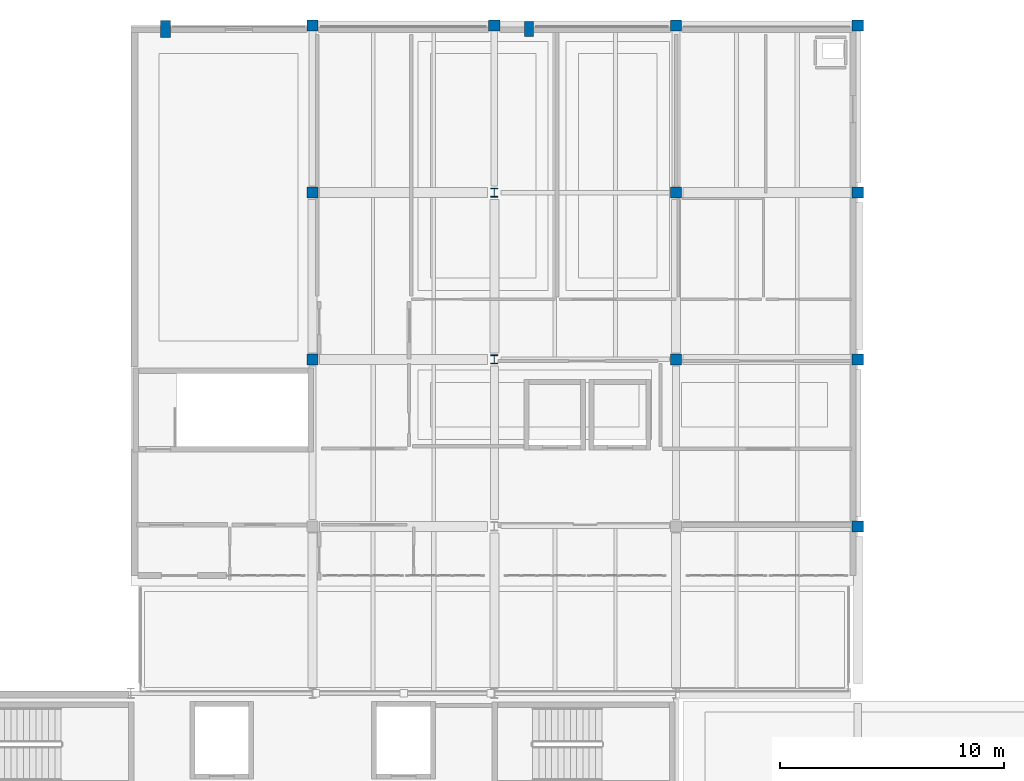
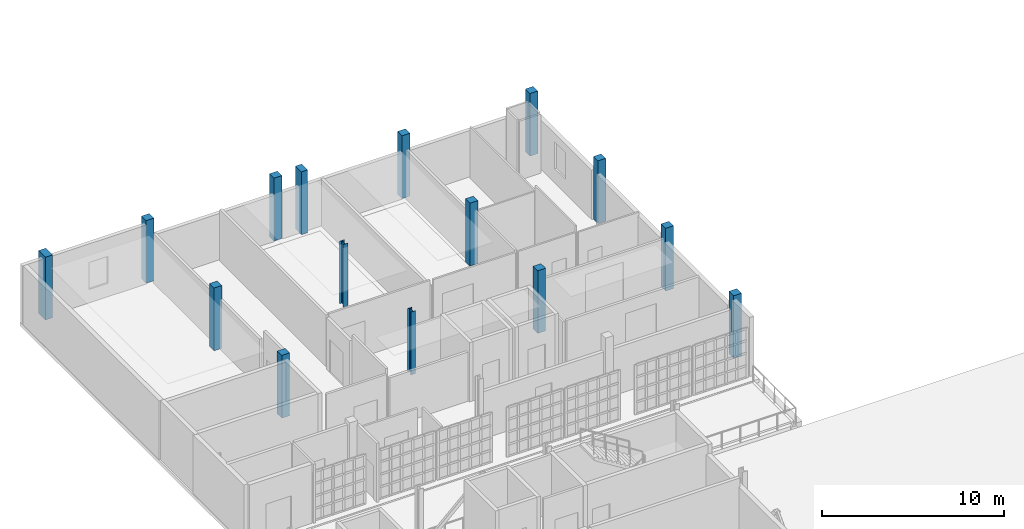
# One storey, part 2 of 25: 15 columns.
"""IFC4 building model written with IfcOpenShell, lengths in metres."""

from ifc_helpers import new_model, si_unit, direction, frame, origin, origin_2d, place, context, subcontext, project, spatial, rectangle, i_section, extrude, material, material_profile, profile_set, type_object, element, save


model = new_model("IFC4")

# Units and contexts
model_context = context("Model", 3, precision=1e-05, world=origin(), true_north=direction((0.0, 1.0)))
body_context = subcontext(model_context, "Body", "Model", "MODEL_VIEW")
ifc_project = project(units=[si_unit("LENGTHUNIT", "METRE"), si_unit("AREAUNIT", "SQUARE_METRE"), si_unit("VOLUMEUNIT", "CUBIC_METRE"), si_unit("PLANEANGLEUNIT", "RADIAN"), si_unit("MASSUNIT", "GRAM", prefix="KILO")], contexts=[model_context])

# Site, building, storey
site_placement = place(None, origin())
site = spatial("IfcSite", under=ifc_project, at=site_placement, CompositionType="ELEMENT")
building_placement = place(site_placement, origin())
building = spatial("IfcBuilding", under=site, at=building_placement, Name="Kaelora Sail Theatre", CompositionType="ELEMENT")
storey_placement = place(building_placement, frame((0.0, 0.0, 19.199951171875)))
storey = spatial("IfcBuildingStorey", under=building, at=storey_placement, Name="L04", CompositionType="ELEMENT", Elevation=19.199951171875)

# Columns
ifc_material_1 = material(Name="Steel S355", Category="steel")
ifc_material_profile_1 = material_profile(ifc_material_1, i_section(OverallWidth=0.300048828125, OverallDepth=0.39990234375, WebThickness=0.013427734375, FlangeThickness=0.02392578125, FilletRadius=0.027099609375, at=origin_2d()), Name="HEB 400")
ifc_profile_set_1 = profile_set([ifc_material_profile_1], Name="Steel S355")
column_type_1 = type_object("IfcColumnType", Name="STR-COL-C-HEB400", PredefinedType="COLUMN", material=ifc_profile_set_1)
for number, where, z_axis, x_axis, name in (
    (1, (50.10009765625, 98.219970703125, 0.0), (0.0, 0.0, 1.0), (1.0, 0.0, 0.0), "Column 7/N (L04)"),
    (2, (50.10009765625, 105.659912109375, 0.0), (0.0, 0.0, 1.0), (1.0, 0.0, 0.0), "Column 7/O (L04)"),
):
    element("IfcColumn", number, at=place(storey_placement, frame(where, z_axis=z_axis, x_axis=x_axis)), inside=storey, type_object=column_type_1, Name=name, PredefinedType="COLUMN", context=body_context, shape_type="SweptSolid", body=[
        extrude(i_section(OverallWidth=0.300048828125, OverallDepth=0.39990234375, WebThickness=0.013427734375, FlangeThickness=0.02392578125, FilletRadius=0.027099609375, at=origin_2d()), origin(), (0.0, 0.0, 1.0), 4.199951171875),
    ])
ifc_material_2 = material(Name="Concrete C40/50", Category="concrete")
ifc_material_profile_2 = material_profile(ifc_material_2, rectangle(XDim=0.5, YDim=0.5, at=origin_2d()), Name="RC-COL 500x500")
ifc_profile_set_2 = profile_set([ifc_material_profile_2], Name="Concrete C40/50")
column_type_2 = type_object("IfcColumnType", Name="STR-COL-C-RC500", PredefinedType="COLUMN", material=ifc_profile_set_2)
for number, where, z_axis, x_axis, name in (
    (3, (42.0, 98.219970703125, 0.0), (0.0, 0.0, 1.0), (1.0, 0.0, 0.0), "Column 6/N (L04)"),
    (4, (42.0, 105.659912109375, 0.0), (0.0, 0.0, 1.0), (1.0, 0.0, 0.0), "Column 6/O (L04)"),
    (5, (42.0, 113.10009765625, 0.0), (0.0, 0.0, 1.0), (1.0, 0.0, 0.0), "Column 6/P (L04)"),
    (6, (50.10009765625, 113.10009765625, 0.0), (0.0, 0.0, 1.0), (1.0, 0.0, 0.0), "Column 7/P (L04)"),
    (7, (58.199951171875, 98.219970703125, 0.0), (0.0, 0.0, 1.0), (1.0, 0.0, 0.0), "Column 8/N (L04)"),
    (8, (58.199951171875, 105.659912109375, 0.0), (0.0, 0.0, 1.0), (1.0, 0.0, 0.0), "Column 8/O (L04)"),
    (9, (58.199951171875, 113.10009765625, 0.0), (0.0, 0.0, 1.0), (1.0, 0.0, 0.0), "Column 8/P (L04)"),
    (10, (66.300048828125, 90.780029296875, 0.0), (0.0, 0.0, 1.0), (1.0, 0.0, 0.0), "Column 9/M (L04)"),
    (11, (66.300048828125, 98.219970703125, 0.0), (0.0, 0.0, 1.0), (1.0, 0.0, 0.0), "Column 9/N (L04)"),
    (12, (66.300048828125, 105.659912109375, 0.0), (0.0, 0.0, 1.0), (1.0, 0.0, 0.0), "Column 9/O (L04)"),
    (13, (66.300048828125, 113.10009765625, 0.0), (0.0, 0.0, 1.0), (1.0, 0.0, 0.0), "Column 9/P (L04)"),
):
    element("IfcColumn", number, at=place(storey_placement, frame(where, z_axis=z_axis, x_axis=x_axis)), inside=storey, type_object=column_type_2, Name=name, PredefinedType="COLUMN", context=body_context, shape_type="SweptSolid", body=[
        extrude(rectangle(XDim=0.5, YDim=0.5, at=origin_2d()), origin(), (0.0, 0.0, 1.0), 4.199951171875),
    ])
ifc_material_3 = material(Name="Precast concrete C45/55", Category="concrete")
ifc_material_profile_3 = material_profile(ifc_material_3, rectangle(XDim=0.39990234375, YDim=0.64990234375, at=origin_2d()), Name="RC-PIL 400x650")
ifc_profile_set_3 = profile_set([ifc_material_profile_3], Name="Precast concrete C45/55")
column_type_3 = type_object("IfcColumnType", Name="STR-COL-PL-RC4065", PredefinedType="PILASTER", material=ifc_profile_set_3)
column_1_placement = place(storey_placement, frame((51.64990234375, 112.949951171875, 0.0), z_axis=(0.0, 0.0, 1.0), x_axis=(1.0, 0.0, 0.0)))
element("IfcColumn", 14, at=column_1_placement, inside=storey, type_object=column_type_3, Name="Postmodern terracotta precast pilaster L04 N04", PredefinedType="PILASTER", context=body_context, shape_type="SweptSolid", body=[
    extrude(rectangle(XDim=0.39990234375, YDim=0.64990234375, at=origin_2d()), origin(), (0.0, 0.0, 1.0), 4.199951171875),
])
ifc_material_4 = material(Name="Precast concrete C45/55", Category="concrete")
ifc_material_profile_4 = material_profile(ifc_material_4, rectangle(XDim=0.449951171875, YDim=0.75, at=origin_2d()), Name="RC-PIL 450x750")
ifc_profile_set_4 = profile_set([ifc_material_profile_4], Name="Precast concrete C45/55")
column_type_4 = type_object("IfcColumnType", Name="STR-COL-PL-RC4575", PredefinedType="PILASTER", material=ifc_profile_set_4)
column_2_placement = place(storey_placement, frame((35.449951171875, 112.949951171875, 0.0), z_axis=(0.0, 0.0, 1.0), x_axis=(1.0, 0.0, 0.0)))
element("IfcColumn", 15, at=column_2_placement, inside=storey, type_object=column_type_4, Name="Postmodern terracotta precast pilaster L04 N03", PredefinedType="PILASTER", context=body_context, shape_type="SweptSolid", body=[
    extrude(rectangle(XDim=0.449951171875, YDim=0.75, at=origin_2d()), origin(), (0.0, 0.0, 1.0), 4.199951171875),
])

save(model, "model.ifc")
